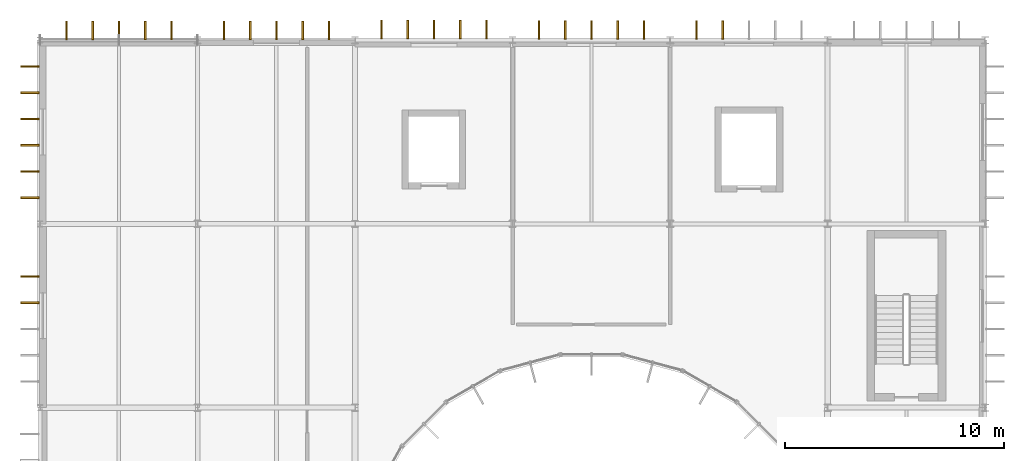
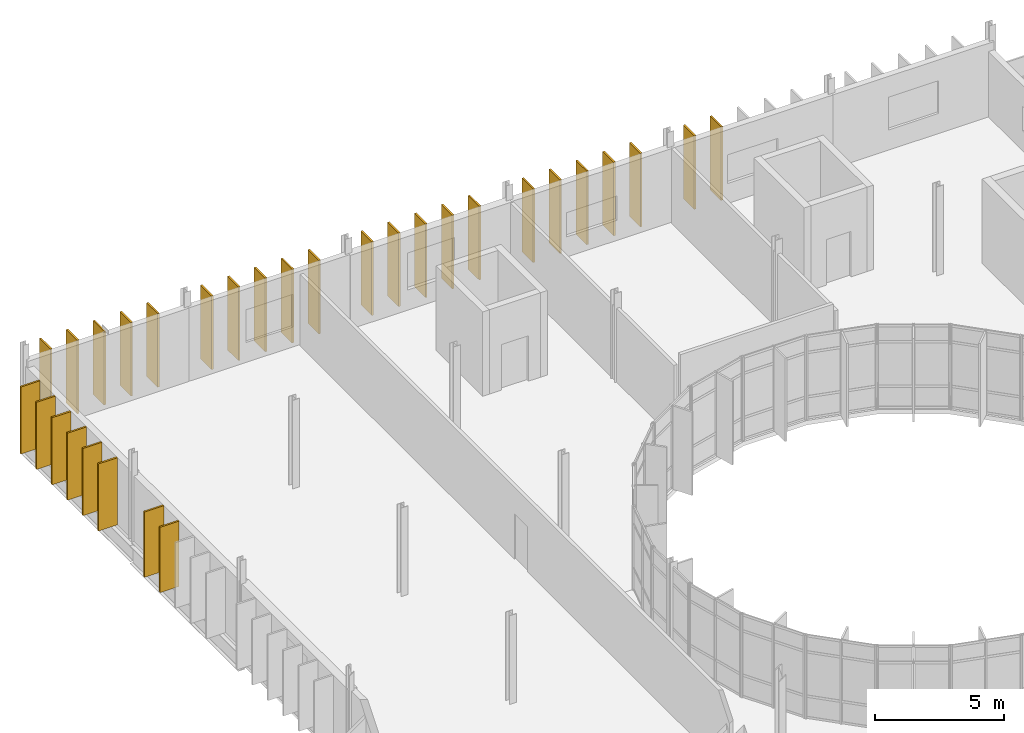
# One storey, part 57 of 61: 30 shading devices.
"""IFC4 building model written with IfcOpenShell, lengths in metres."""

import ifcopenshell
import ifcopenshell.guid

model = None  # the IFC model being written
_history = None  # IfcOwnerHistory: only IFC2X3 demands one
_inside = {}  # id of a spatial element -> (the spatial element, [elements in it])
_under = {}  # id of a project, library or spatial element -> (it, [spatial elements below it])
_declared = {}  # id of a project -> (the project, [libraries it declares])
_typed = {}  # id of a type object -> (the type object, [elements of that type])
_made_of = {}  # id of a material, layer set ... -> (it, [elements and type objects made of it])


def new_model(schema):
    """Start an empty IFC model of exactly this schema.

    Asked for "IFC4X3", IfcOpenShell would pick the latest addendum, in which some entities
    have other attributes; the version numbers below select the first issue.
    IFC2X3 requires an IfcOwnerHistory on every rooted entity: one is made here for all.
    """
    global model, _history
    if schema == "IFC4X3":
        model = ifcopenshell.file(schema_version=(4, 3, 0, 0))
    else:
        model = ifcopenshell.file(schema=schema)
    _inside.clear()
    _under.clear()
    _declared.clear()
    _typed.clear()
    _made_of.clear()
    _history = None
    if model.schema == "IFC2X3":
        org = make("IfcOrganization", Name="unknown")
        user = make(
            "IfcPersonAndOrganization",
            ThePerson=make("IfcPerson", FamilyName="unknown"),
            TheOrganization=org,
        )
        app = make(
            "IfcApplication",
            ApplicationDeveloper=org,
            Version="unknown",
            ApplicationFullName="unknown",
            ApplicationIdentifier="unknown",
        )
        _history = make(
            "IfcOwnerHistory",
            OwningUser=user,
            OwningApplication=app,
            ChangeAction="ADDED",
            CreationDate=0,
        )
    return model


def make(cls, **values):
    """One entity of the class cls with the attributes given. An attribute that is None is left unset."""
    return model.create_entity(
        cls, **{name: value for name, value in values.items() if value is not None}
    )


def rooted(cls, **values):
    """An entity with a GlobalId (a new one), such as an element, a storey or a relation."""
    return make(cls, GlobalId=ifcopenshell.guid.new(), OwnerHistory=_history, **values)


def si_unit(unit_type, name, prefix=None):
    """IfcSIUnit, for example si_unit("LENGTHUNIT", "METRE", prefix="MILLI")."""
    return make("IfcSIUnit", UnitType=unit_type, Prefix=prefix, Name=name)


def assignment(units):
    """IfcUnitAssignment: the units of a project."""
    return None if units is None else make("IfcUnitAssignment", Units=units)


def point(xyz):
    """IfcCartesianPoint."""
    return None if xyz is None else make("IfcCartesianPoint", Coordinates=xyz)


def direction(xyz):
    """IfcDirection."""
    return None if xyz is None else make("IfcDirection", DirectionRatios=xyz)


def frame(location, z_axis=None, x_axis=None):
    """IfcAxis2Placement3D, a coordinate frame: its origin and axes. An axis left out is left unset."""
    return make(
        "IfcAxis2Placement3D",
        Location=point(location),
        Axis=direction(z_axis),
        RefDirection=direction(x_axis),
    )


def frame_2d(location, x_axis=None):
    """IfcAxis2Placement2D, a coordinate frame in the plane: its origin and x axis."""
    return make(
        "IfcAxis2Placement2D", Location=point(location), RefDirection=direction(x_axis)
    )


def origin():
    """The frame at (0, 0, 0) with its axes left unset."""
    return frame((0.0, 0.0, 0.0))


def origin_2d():
    """The frame at (0, 0) in the plane with its x axis left unset."""
    return frame_2d((0.0, 0.0))


def place(relative_to, where):
    """IfcLocalPlacement: puts the frame where relative to a parent placement (None: the world)."""
    return make(
        "IfcLocalPlacement", PlacementRelTo=relative_to, RelativePlacement=where
    )


def context(
    kind, dimensions, precision=None, world=None, true_north=None, identifier=None
):
    """IfcGeometricRepresentationContext, for example the 3D "Model" context."""
    return make(
        "IfcGeometricRepresentationContext",
        ContextIdentifier=identifier,
        ContextType=kind,
        CoordinateSpaceDimension=dimensions,
        Precision=precision,
        WorldCoordinateSystem=world,
        TrueNorth=true_north,
    )


def subcontext(parent, identifier, kind, view, scale=None):
    """IfcGeometricRepresentationSubContext, for example "Body" below "Model"."""
    return make(
        "IfcGeometricRepresentationSubContext",
        ContextIdentifier=identifier,
        ContextType=kind,
        ParentContext=parent,
        TargetScale=scale,
        TargetView=view,
    )


def project(units=None, contexts=None):
    """IfcProject with its units and contexts."""
    return rooted(
        "IfcProject",
        Name="project",
        RepresentationContexts=contexts,
        UnitsInContext=assignment(units),
    )


def spatial(cls, under=None, at=None, **own):
    """A site, building, storey or space (cls), placed at a placement, below another one or the project."""
    s = rooted(cls, ObjectPlacement=at, **own)
    if under is not None:
        _under.setdefault(under.id(), (under, []))[1].append(s)
    return s


def profile(cls, at=None, kind="AREA", **sizes):
    """A parametric profile (cls). Its sizes go by their IFC names, for example OverallWidth=200.0."""
    return make(cls, ProfileType=kind, Position=at, **sizes)


def rectangle(**sizes):
    """IfcRectangleProfileDef."""
    return profile("IfcRectangleProfileDef", **sizes)


def extrude(swept, where, along, depth):
    """IfcExtrudedAreaSolid: the profile swept, set in the frame where, extruded along a direction by depth."""
    return make(
        "IfcExtrudedAreaSolid",
        SweptArea=swept,
        Position=where,
        ExtrudedDirection=direction(along),
        Depth=depth,
    )


def shape(context_of_items, identifier, shape_type, items):
    """IfcShapeRepresentation: the items that make up one representation, for example the "Body"."""
    return make(
        "IfcShapeRepresentation",
        ContextOfItems=context_of_items,
        RepresentationIdentifier=identifier,
        RepresentationType=shape_type,
        Items=items,
    )


def material(Name=None, Category=None):
    """IfcMaterial."""
    return make("IfcMaterial", Name=Name, Category=Category)


def made_of(thing, what):
    """Note that an element or type object is made of a material, layer set ...; save() writes the relation."""
    if what is not None:
        _made_of.setdefault(what.id(), (what, []))[1].append(thing)
    return thing


def type_object(cls, material=None, **own):
    """A type object (cls), such as IfcWallType, which elements share."""
    return made_of(rooted(cls, **own), material)


def element(
    cls,
    number,
    at=None,
    inside=None,
    cuts=None,
    type_object=None,
    material=None,
    context=None,
    identifier="Body",
    shape_type=None,
    held_by="IfcProductDefinitionShape",
    body=None,
    shapes=None,
    **own,
):
    """One element of the class cls, such as IfcWall. Its Tag is "e" and its number.

    at: its placement. inside: the storey or other place that contains it. cuts: it is an
    opening in that element (IfcRelVoidsElement). A single representation is given by context,
    identifier, shape_type and body (its items); several are given by shapes. held_by: the class
    of the entity that holds the representations. save() writes the other relations.
    """
    e = rooted(cls, Tag="e%d" % number, ObjectPlacement=at, **own)
    if body is not None:
        shapes = [shape(context, identifier, shape_type, body)]
    if shapes is not None:
        e.Representation = make(held_by, Representations=shapes)
    if inside is not None:
        _inside.setdefault(inside.id(), (inside, []))[1].append(e)
    if cuts is not None:
        rooted(
            "IfcRelVoidsElement", RelatingBuildingElement=cuts, RelatedOpeningElement=e
        )
    if type_object is not None:
        _typed.setdefault(type_object.id(), (type_object, []))[1].append(e)
    return made_of(e, material)


def aggregate(whole, parts):
    """IfcRelAggregates: a whole, such as a stair, and the parts it consists of."""
    return rooted("IfcRelAggregates", RelatingObject=whole, RelatedObjects=parts)


def save(model, path):
    """Write the relations noted so far, then the file.

    IfcRelAggregates (storeys below a building ...), IfcRelContainedInSpatialStructure (elements
    in a storey), IfcRelDefinesByType, IfcRelAssociatesMaterial and IfcRelDeclares: one each for
    every whole, place, type object, material and project.
    """
    for whole, parts in _under.values():
        aggregate(whole, parts)
    for where, things in _inside.values():
        rooted(
            "IfcRelContainedInSpatialStructure",
            RelatedElements=things,
            RelatingStructure=where,
        )
    for kind, things in _typed.values():
        rooted("IfcRelDefinesByType", RelatedObjects=things, RelatingType=kind)
    for what, things in _made_of.values():
        rooted("IfcRelAssociatesMaterial", RelatedObjects=things, RelatingMaterial=what)
    for by, libraries in _declared.values():
        rooted("IfcRelDeclares", RelatingContext=by, RelatedDefinitions=libraries)
    model.write(path)


model = new_model("IFC4")

# Units and contexts
model_context = context("Model", 3, precision=1e-05, world=origin(), true_north=direction((0.0, 1.0)))
body_context = subcontext(model_context, "Body", "Model", "MODEL_VIEW")
ifc_project = project(units=[si_unit("LENGTHUNIT", "METRE"), si_unit("AREAUNIT", "SQUARE_METRE"), si_unit("VOLUMEUNIT", "CUBIC_METRE"), si_unit("PLANEANGLEUNIT", "RADIAN"), si_unit("MASSUNIT", "GRAM", prefix="KILO")], contexts=[model_context])

# Site, building, storey
site_placement = place(None, origin())
site = spatial("IfcSite", under=ifc_project, at=site_placement, CompositionType="ELEMENT")
building_placement = place(site_placement, origin())
building = spatial("IfcBuilding", under=site, at=building_placement, Name="Qelthora Terrace Specialist Clinic", CompositionType="ELEMENT")
storey_placement = place(building_placement, frame((0.0, 0.0, 13.199951171875)))
storey = spatial("IfcBuildingStorey", under=building, at=storey_placement, Name="L03", CompositionType="ELEMENT", Elevation=13.199951171875)

# Shading devices
ifc_material = material(Name="Glulam timber GL28h", Category="wood")
shading_device_type = type_object("IfcShadingDeviceType", Name="SHD-FIN-850", PredefinedType="USERDEFINED", material=ifc_material)
for number, where, z_axis, x_axis, name in (
    (1, (-0.465087890625, 97.199951171875, 0.0), (0.0, 0.0, 1.0), (-1.0, 0.0, 0.0), "Exterior solar shading fin FIN-1658"),
    (2, (-0.465087890625, 98.39990234375, 0.0), (0.0, 0.0, 1.0), (-1.0, 0.0, 0.0), "Exterior solar shading fin FIN-1659"),
):
    element("IfcShadingDevice", number, at=place(storey_placement, frame(where, z_axis=z_axis, x_axis=x_axis)), inside=storey, type_object=shading_device_type, Name=name, ObjectType="FIN", PredefinedType="USERDEFINED", context=body_context, shape_type="SweptSolid", body=[
        extrude(rectangle(XDim=0.85009765625, YDim=0.080078125, at=origin_2d()), origin(), (0.0, 0.0, 1.0), 3.091064453125),
    ])
for number, where, z_axis, x_axis, name in (
    (3, (-0.455078125, 102.0, 0.0), (0.0, 0.0, 1.0), (-1.0, 0.0, 0.0), "Exterior solar shading fin FIN-1660"),
    (4, (-0.455078125, 103.199951171875, 0.0), (0.0, 0.0, 1.0), (-1.0, 0.0, 0.0), "Exterior solar shading fin FIN-1661"),
    (5, (-0.455078125, 104.39990234375, 0.0), (0.0, 0.0, 1.0), (-1.0, 0.0, 0.0), "Exterior solar shading fin FIN-1662"),
    (6, (-0.455078125, 105.60009765625, 0.0), (0.0, 0.0, 1.0), (-1.0, 0.0, 0.0), "Exterior solar shading fin FIN-1663"),
    (7, (-0.455078125, 106.800048828125, 0.0), (0.0, 0.0, 1.0), (-1.0, 0.0, 0.0), "Exterior solar shading fin FIN-1664"),
    (8, (-0.455078125, 108.0, 0.0), (0.0, 0.0, 1.0), (-1.0, 0.0, 0.0), "Exterior solar shading fin FIN-1665"),
):
    element("IfcShadingDevice", number, at=place(storey_placement, frame(where, z_axis=z_axis, x_axis=x_axis)), inside=storey, type_object=shading_device_type, Name=name, ObjectType="FIN", PredefinedType="USERDEFINED", context=body_context, shape_type="SweptSolid", body=[
        extrude(rectangle(XDim=0.85009765625, YDim=0.080078125, at=origin_2d()), origin(), (0.0, 0.0, 1.0), 3.172119140625),
    ])
for number, where, z_axis, x_axis, name in (
    (9, (1.199951171875, 109.64501953125, 0.0), (0.0, 0.0, 1.0), (0.0, 1.0, 0.0), "Exterior solar shading fin FIN-1666"),
    (10, (2.39990234375, 109.64501953125, 0.0), (0.0, 0.0, 1.0), (0.0, 1.0, 0.0), "Exterior solar shading fin FIN-1667"),
    (11, (3.60009765625, 109.64501953125, 0.0), (0.0, 0.0, 1.0), (0.0, 1.0, 0.0), "Exterior solar shading fin FIN-1668"),
    (12, (4.800048828125, 109.64501953125, 0.0), (0.0, 0.0, 1.0), (0.0, 1.0, 0.0), "Exterior solar shading fin FIN-1669"),
    (13, (6.0, 109.64501953125, 0.0), (0.0, 0.0, 1.0), (0.0, 1.0, 0.0), "Exterior solar shading fin FIN-1670"),
    (14, (8.39990234375, 109.635009765625, 0.0), (0.0, 0.0, 1.0), (0.0, 1.0, 0.0), "Exterior solar shading fin FIN-1671"),
    (15, (9.60009765625, 109.635009765625, 0.0), (0.0, 0.0, 1.0), (0.0, 1.0, 0.0), "Exterior solar shading fin FIN-1672"),
    (16, (10.800048828125, 109.635009765625, 0.0), (0.0, 0.0, 1.0), (0.0, 1.0, 0.0), "Exterior solar shading fin FIN-1673"),
    (17, (12.0, 109.635009765625, 0.0), (0.0, 0.0, 1.0), (0.0, 1.0, 0.0), "Exterior solar shading fin FIN-1674"),
    (18, (13.199951171875, 109.635009765625, 0.0), (0.0, 0.0, 1.0), (0.0, 1.0, 0.0), "Exterior solar shading fin FIN-1675"),
    (19, (15.60009765625, 109.695068359375, 0.0), (0.0, 0.0, 1.0), (0.0, 1.0, 0.0), "Exterior solar shading fin FIN-1676"),
    (20, (16.800048828125, 109.695068359375, 0.0), (0.0, 0.0, 1.0), (0.0, 1.0, 0.0), "Exterior solar shading fin FIN-1677"),
    (21, (18.0, 109.695068359375, 0.0), (0.0, 0.0, 1.0), (0.0, 1.0, 0.0), "Exterior solar shading fin FIN-1678"),
    (22, (19.199951171875, 109.695068359375, 0.0), (0.0, 0.0, 1.0), (0.0, 1.0, 0.0), "Exterior solar shading fin FIN-1679"),
    (23, (20.39990234375, 109.695068359375, 0.0), (0.0, 0.0, 1.0), (0.0, 1.0, 0.0), "Exterior solar shading fin FIN-1680"),
    (24, (22.800048828125, 109.6650390625, 0.0), (0.0, 0.0, 1.0), (0.0, 1.0, 0.0), "Exterior solar shading fin FIN-1681"),
    (25, (24.0, 109.6650390625, 0.0), (0.0, 0.0, 1.0), (0.0, 1.0, 0.0), "Exterior solar shading fin FIN-1682"),
    (26, (25.199951171875, 109.6650390625, 0.0), (0.0, 0.0, 1.0), (0.0, 1.0, 0.0), "Exterior solar shading fin FIN-1683"),
    (27, (26.39990234375, 109.6650390625, 0.0), (0.0, 0.0, 1.0), (0.0, 1.0, 0.0), "Exterior solar shading fin FIN-1684"),
    (28, (27.60009765625, 109.6650390625, 0.0), (0.0, 0.0, 1.0), (0.0, 1.0, 0.0), "Exterior solar shading fin FIN-1685"),
    (29, (30.0, 109.655029296875, 0.0), (0.0, 0.0, 1.0), (0.0, 1.0, 0.0), "Exterior solar shading fin FIN-1686"),
    (30, (31.199951171875, 109.655029296875, 0.0), (0.0, 0.0, 1.0), (0.0, 1.0, 0.0), "Exterior solar shading fin FIN-1687"),
):
    element("IfcShadingDevice", number, at=place(storey_placement, frame(where, z_axis=z_axis, x_axis=x_axis)), inside=storey, type_object=shading_device_type, Name=name, ObjectType="FIN", PredefinedType="USERDEFINED", context=body_context, shape_type="SweptSolid", body=[
        extrude(rectangle(XDim=0.85009765625, YDim=0.080078125, at=origin_2d()), origin(), (0.0, 0.0, 1.0), 3.48193359375),
    ])

save(model, "model.ifc")
